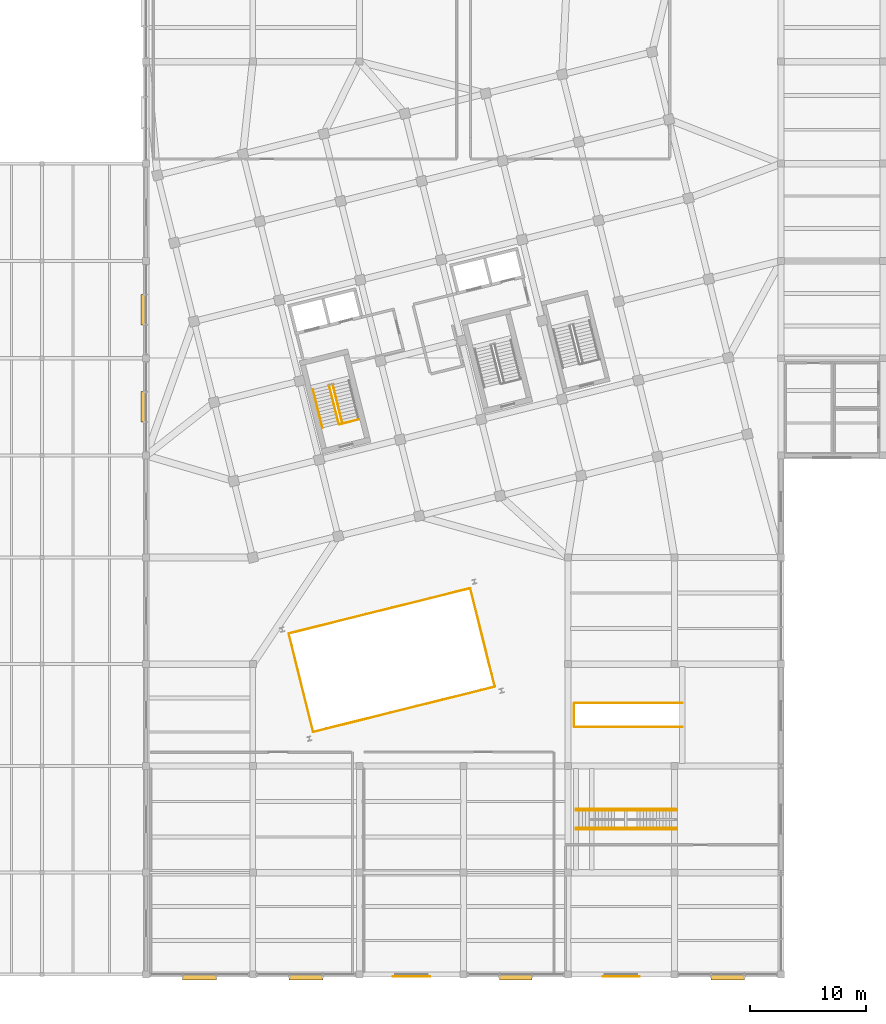
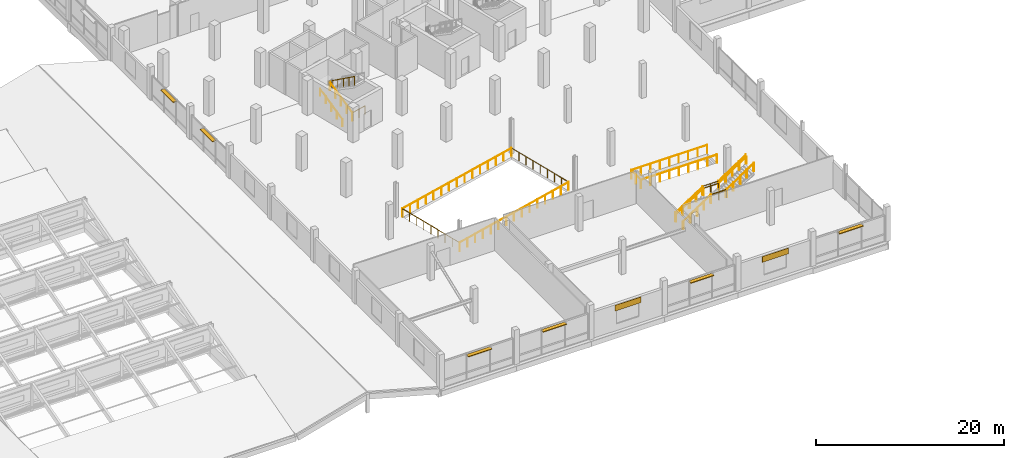
# One storey, part 74 of 77: 23 railings, 6 shading devices, 2 coverings.
"""IFC4 building model written with IfcOpenShell, lengths in metres."""

from ifc_helpers import new_model, si_unit, direction, frame, origin, origin_2d, place, context, subcontext, project, spatial, rectangle, circle, extrude, material, layer, layer_set, type_object, element, save


model = new_model("IFC4")

# Units and contexts
model_context = context("Model", 3, precision=1e-05, world=origin(), true_north=direction((0.0, 1.0)))
body_context = subcontext(model_context, "Body", "Model", "MODEL_VIEW")
ifc_project = project(units=[si_unit("LENGTHUNIT", "METRE"), si_unit("AREAUNIT", "SQUARE_METRE"), si_unit("VOLUMEUNIT", "CUBIC_METRE"), si_unit("PLANEANGLEUNIT", "RADIAN"), si_unit("MASSUNIT", "GRAM", prefix="KILO")], contexts=[model_context])

# Site, building, storey
site_placement = place(None, origin())
site = spatial("IfcSite", under=ifc_project, at=site_placement, CompositionType="ELEMENT")
building_placement = place(site_placement, origin())
building = spatial("IfcBuilding", under=site, at=building_placement, Name="Meriwether Solvik Hall", CompositionType="ELEMENT")
storey_placement = place(building_placement, frame((0.0, 0.0, 9.89990234375)))
storey = spatial("IfcBuildingStorey", under=building, at=storey_placement, Name="L02", CompositionType="ELEMENT", Elevation=9.89990234375)

# Coverings
ifc_material_1 = material(Name="Glazed Extruded Terracotta Ceramic", Category="masonry")
ifc_layer_1 = layer(ifc_material_1, 0.044921875)
ifc_layer_set_1 = layer_set([ifc_layer_1], Name="Glazed Extruded Terracotta Ceramic")
covering_type = type_object("IfcCoveringType", Name="COV-CLAD-TERRA", PredefinedType="CLADDING", material=ifc_layer_set_1)
for number, where, z_axis, x_axis, name in (
    (1, (82.300048828125, 5.012451171875, 2.59521484375), (0.0, 0.0, 1.0), (-1.0, 0.0, 0.0), "L02 Facade Cladding XA_9_2"),
    (2, (100.39990234375, 5.012451171875, 2.59521484375), (0.0, 0.0, 1.0), (-1.0, 0.0, 0.0), "L02 Facade Cladding XA_11_4"),
):
    element("IfcCovering", number, at=place(storey_placement, frame(where, z_axis=z_axis, x_axis=x_axis)), inside=storey, type_object=covering_type, Name=name, PredefinedType="CLADDING", context=body_context, shape_type="SweptSolid", body=[
        extrude(rectangle(XDim=3.199951171875, YDim=0.044921875, at=origin_2d()), origin(), (0.0, 0.0, 1.0), 0.75),
    ])

# Railings
ifc_material_2 = material(Name="Steel A36 Galvanised", Category="steel")
ifc_layer_2 = layer(ifc_material_2, 0.054931640625)
ifc_layer_set_2 = layer_set([ifc_layer_2], Name="Steel A36 Galvanised")
railing_type_1 = type_object("IfcRailingType", Name="RAIL-STR-GUARD", PredefinedType="GUARDRAIL", material=ifc_layer_set_2)
railing_1_placement = place(storey_placement, frame((76.092041015625, 52.69384765625, 0.0)))
element("IfcRailing", 3, at=railing_1_placement, inside=storey, type_object=railing_type_1, Name="Stair ST-01 Well Guardrail (L02)", PredefinedType="GUARDRAIL", context=body_context, shape_type="SweptSolid", body=[
    extrude(circle(Radius=0.02392578125, at=origin_2d()), frame((0.0, 0.0, 1.09619140625), z_axis=(0.970298223594, 0.241911879182, 0.0), x_axis=(-0.241911879182, 0.970298223594, 0.0)), (0.0, 0.0, 1.0), 1.75),
    extrude(circle(Radius=0.02099609375, at=origin_2d()), origin(), (0.0, 0.0, 1.0), 1.072021484375),
    extrude(circle(Radius=0.02099609375, at=origin_2d()), frame((0.84912109375, 0.211669921875, 0.0)), (0.0, 0.0, 1.0), 1.072021484375),
    extrude(circle(Radius=0.02099609375, at=origin_2d()), frame((1.697998046875, 0.42333984375, 0.0)), (0.0, 0.0, 1.0), 1.072021484375),
])
railing_2_placement = place(storey_placement, frame((76.019287109375, 52.737548828125, 0.0)))
element("IfcRailing", 4, at=railing_2_placement, inside=storey, type_object=railing_type_1, Name="Stair ST-01 Flight 1 Inner Guardrail (L02)", PredefinedType="GUARDRAIL", context=body_context, shape_type="SweptSolid", body=[
    extrude(circle(Radius=0.02392578125, at=origin_2d()), frame((0.0, 0.0, 1.09619140625), z_axis=(-0.202112380038, 0.810596479635, 0.549621627157), x_axis=(-0.970293484379, -0.241930887181, 0.0)), (0.0, 0.0, 1.0), 4.09375),
    extrude(circle(Radius=0.02099609375, at=origin_2d()), origin(), (0.0, 0.0, 1.0), 1.072021484375),
    extrude(circle(Radius=0.02099609375, at=origin_2d()), frame((-0.206787109375, 0.82958984375, 0.5625)), (0.0, 0.0, 1.0), 1.072021484375),
    extrude(circle(Radius=0.02099609375, at=origin_2d()), frame((-0.41357421875, 1.6591796875, 1.125)), (0.0, 0.0, 1.0), 1.072021484375),
    extrude(circle(Radius=0.02099609375, at=origin_2d()), frame((-0.62060546875, 2.48876953125, 1.6875)), (0.0, 0.0, 1.0), 1.072021484375),
    extrude(circle(Radius=0.02099609375, at=origin_2d()), frame((-0.827392578125, 3.318359375, 2.25)), (0.0, 0.0, 1.0), 1.072021484375),
])
railing_3_placement = place(storey_placement, frame((75.502197265625, 56.13330078125, 2.25)))
element("IfcRailing", 5, at=railing_3_placement, inside=storey, type_object=railing_type_1, Name="Stair ST-01 Flight 2 Inner Guardrail (L02)", PredefinedType="GUARDRAIL", context=body_context, shape_type="SweptSolid", body=[
    extrude(circle(Radius=0.02392578125, at=origin_2d()), frame((0.0, 0.0, 1.09619140625), z_axis=(0.202112380038, -0.810596479635, 0.549621627157), x_axis=(0.970293484379, 0.241930887181, 0.0)), (0.0, 0.0, 1.0), 4.09375),
    extrude(circle(Radius=0.02099609375, at=origin_2d()), origin(), (0.0, 0.0, 1.0), 1.072021484375),
    extrude(circle(Radius=0.02099609375, at=origin_2d()), frame((0.206787109375, -0.82958984375, 0.5625)), (0.0, 0.0, 1.0), 1.072021484375),
    extrude(circle(Radius=0.02099609375, at=origin_2d()), frame((0.41357421875, -1.6591796875, 1.125)), (0.0, 0.0, 1.0), 1.072021484375),
    extrude(circle(Radius=0.02099609375, at=origin_2d()), frame((0.62060546875, -2.48876953125, 1.6875)), (0.0, 0.0, 1.0), 1.072021484375),
    extrude(circle(Radius=0.02099609375, at=origin_2d()), frame((0.827392578125, -3.318359375, 2.25)), (0.0, 0.0, 1.0), 1.072021484375),
])
railing_4_placement = place(storey_placement, frame((105.679931640625, 26.56005859375, 0.0)))
element("IfcRailing", 6, at=railing_4_placement, inside=storey, type_object=railing_type_1, Name="Stair ST-AT2 Arrival Well Guardrail (L02) 1", PredefinedType="GUARDRAIL", context=body_context, shape_type="SweptSolid", body=[
    extrude(circle(Radius=0.02392578125, at=origin_2d()), frame((0.0, 0.0, 1.09619140625), z_axis=(-1.0, 0.0, 0.0), x_axis=(0.0, -1.0, 0.0)), (0.0, 0.0, 1.0), 9.307861328125),
    extrude(circle(Radius=0.02099609375, at=origin_2d()), origin(), (0.0, 0.0, 1.0), 1.072021484375),
    extrude(circle(Radius=0.02099609375, at=origin_2d()), frame((-1.16357421875, 0.0, 0.0)), (0.0, 0.0, 1.0), 1.072021484375),
    extrude(circle(Radius=0.02099609375, at=origin_2d()), frame((-2.326904296875, 0.0, 0.0)), (0.0, 0.0, 1.0), 1.072021484375),
    extrude(circle(Radius=0.02099609375, at=origin_2d()), frame((-3.490478515625, 0.0, 0.0)), (0.0, 0.0, 1.0), 1.072021484375),
    extrude(circle(Radius=0.02099609375, at=origin_2d()), frame((-4.65380859375, 0.0, 0.0)), (0.0, 0.0, 1.0), 1.072021484375),
    extrude(circle(Radius=0.02099609375, at=origin_2d()), frame((-5.8173828125, 0.0, 0.0)), (0.0, 0.0, 1.0), 1.072021484375),
    extrude(circle(Radius=0.02099609375, at=origin_2d()), frame((-6.98095703125, 0.0, 0.0)), (0.0, 0.0, 1.0), 1.072021484375),
    extrude(circle(Radius=0.02099609375, at=origin_2d()), frame((-8.144287109375, 0.0, 0.0)), (0.0, 0.0, 1.0), 1.072021484375),
    extrude(circle(Radius=0.02099609375, at=origin_2d()), frame((-9.307861328125, 0.0, 0.0)), (0.0, 0.0, 1.0), 1.072021484375),
])
railing_5_placement = place(storey_placement, frame((96.340087890625, 26.592041015625, 0.0)))
element("IfcRailing", 7, at=railing_5_placement, inside=storey, type_object=railing_type_1, Name="Stair ST-AT2 Arrival Well Guardrail (L02) 2", PredefinedType="GUARDRAIL", context=body_context, shape_type="SweptSolid", body=[
    extrude(circle(Radius=0.02392578125, at=origin_2d()), frame((0.0, 0.0, 1.09619140625), z_axis=(0.0, 1.0, 0.0), x_axis=(-1.0, 0.0, 0.0)), (0.0, 0.0, 1.0), 2.015869140625),
    extrude(circle(Radius=0.02099609375, at=origin_2d()), origin(), (0.0, 0.0, 1.0), 1.072021484375),
    extrude(circle(Radius=0.02099609375, at=origin_2d()), frame((0.0, 1.0078125, 0.0)), (0.0, 0.0, 1.0), 1.072021484375),
    extrude(circle(Radius=0.02099609375, at=origin_2d()), frame((0.0, 2.015869140625, 0.0)), (0.0, 0.0, 1.0), 1.072021484375),
])
railing_6_placement = place(storey_placement, frame((96.3720703125, 28.639892578125, 0.0)))
element("IfcRailing", 8, at=railing_6_placement, inside=storey, type_object=railing_type_1, Name="Stair ST-AT2 Arrival Well Guardrail (L02) 3", PredefinedType="GUARDRAIL", context=body_context, shape_type="SweptSolid", body=[
    extrude(circle(Radius=0.02392578125, at=origin_2d()), frame((0.0, 0.0, 1.09619140625), z_axis=(1.0, 0.0, 0.0), x_axis=(0.0, 1.0, 0.0)), (0.0, 0.0, 1.0), 9.307861328125),
    extrude(circle(Radius=0.02099609375, at=origin_2d()), origin(), (0.0, 0.0, 1.0), 1.072021484375),
    extrude(circle(Radius=0.02099609375, at=origin_2d()), frame((1.16357421875, 0.0, 0.0)), (0.0, 0.0, 1.0), 1.072021484375),
    extrude(circle(Radius=0.02099609375, at=origin_2d()), frame((2.326904296875, 0.0, 0.0)), (0.0, 0.0, 1.0), 1.072021484375),
    extrude(circle(Radius=0.02099609375, at=origin_2d()), frame((3.490478515625, 0.0, 0.0)), (0.0, 0.0, 1.0), 1.072021484375),
    extrude(circle(Radius=0.02099609375, at=origin_2d()), frame((4.65380859375, 0.0, 0.0)), (0.0, 0.0, 1.0), 1.072021484375),
    extrude(circle(Radius=0.02099609375, at=origin_2d()), frame((5.8173828125, 0.0, 0.0)), (0.0, 0.0, 1.0), 1.072021484375),
    extrude(circle(Radius=0.02099609375, at=origin_2d()), frame((6.98095703125, 0.0, 0.0)), (0.0, 0.0, 1.0), 1.072021484375),
    extrude(circle(Radius=0.02099609375, at=origin_2d()), frame((8.144287109375, 0.0, 0.0)), (0.0, 0.0, 1.0), 1.072021484375),
    extrude(circle(Radius=0.02099609375, at=origin_2d()), frame((9.307861328125, 0.0, 0.0)), (0.0, 0.0, 1.0), 1.072021484375),
])
railing_7_placement = place(storey_placement, frame((96.5, 17.72998046875, 0.0)))
element("IfcRailing", 9, at=railing_7_placement, inside=storey, type_object=railing_type_1, Name="Stair ST-AT3 Guardrail L 1", PredefinedType="GUARDRAIL", context=body_context, shape_type="SweptSolid", body=[
    extrude(circle(Radius=0.02392578125, at=origin_2d()), frame((0.0, 0.0, 1.09619140625), z_axis=(0.830876226879, 0.0, 0.55645727204), x_axis=(0.0, 1.0, 0.0)), (0.0, 0.0, 1.0), 4.00537109375),
    extrude(circle(Radius=0.02099609375, at=origin_2d()), origin(), (0.0, 0.0, 1.0), 1.072021484375),
    extrude(circle(Radius=0.02099609375, at=origin_2d()), frame((0.83203125, 0.0, 0.55712890625)), (0.0, 0.0, 1.0), 1.072021484375),
    extrude(circle(Radius=0.02099609375, at=origin_2d()), frame((1.6640625, 0.0, 1.1142578125)), (0.0, 0.0, 1.0), 1.072021484375),
    extrude(circle(Radius=0.02099609375, at=origin_2d()), frame((2.495849609375, 0.0, 1.671630859375)), (0.0, 0.0, 1.0), 1.072021484375),
    extrude(circle(Radius=0.02099609375, at=origin_2d()), frame((3.327880859375, 0.0, 2.228759765625)), (0.0, 0.0, 1.0), 1.072021484375),
])
railing_8_placement = place(storey_placement, frame((99.89208984375, 17.72998046875, 2.25)))
element("IfcRailing", 10, at=railing_8_placement, inside=storey, type_object=railing_type_1, Name="Stair ST-AT3 Guardrail L 2", PredefinedType="GUARDRAIL", context=body_context, shape_type="SweptSolid", body=[
    extrude(circle(Radius=0.02392578125, at=origin_2d()), frame((0.0, 0.0, 1.09619140625), z_axis=(1.0, 0.0, 0.0), x_axis=(0.0, 1.0, 0.0)), (0.0, 0.0, 1.0), 1.8359375),
    extrude(circle(Radius=0.02099609375, at=origin_2d()), origin(), (0.0, 0.0, 1.0), 1.072021484375),
    extrude(circle(Radius=0.02099609375, at=origin_2d()), frame((0.91796875, 0.0, 0.0)), (0.0, 0.0, 1.0), 1.072021484375),
    extrude(circle(Radius=0.02099609375, at=origin_2d()), frame((1.8359375, 0.0, 0.0)), (0.0, 0.0, 1.0), 1.072021484375),
])
railing_9_placement = place(storey_placement, frame((101.7919921875, 17.72998046875, 2.271484375)))
element("IfcRailing", 11, at=railing_9_placement, inside=storey, type_object=railing_type_1, Name="Stair ST-AT3 Guardrail L 3", PredefinedType="GUARDRAIL", context=body_context, shape_type="SweptSolid", body=[
    extrude(circle(Radius=0.02392578125, at=origin_2d()), frame((0.0, 0.0, 1.09619140625), z_axis=(0.830923279804, 0.0, 0.556387008367), x_axis=(0.0, 1.0, 0.0)), (0.0, 0.0, 1.0), 4.00537109375),
    extrude(circle(Radius=0.02099609375, at=origin_2d()), origin(), (0.0, 0.0, 1.0), 1.072021484375),
    extrude(circle(Radius=0.02099609375, at=origin_2d()), frame((0.83203125, 0.0, 0.55712890625)), (0.0, 0.0, 1.0), 1.072021484375),
    extrude(circle(Radius=0.02099609375, at=origin_2d()), frame((1.6640625, 0.0, 1.1142578125)), (0.0, 0.0, 1.0), 1.072021484375),
    extrude(circle(Radius=0.02099609375, at=origin_2d()), frame((2.49609375, 0.0, 1.67138671875)), (0.0, 0.0, 1.0), 1.072021484375),
    extrude(circle(Radius=0.02099609375, at=origin_2d()), frame((3.328125, 0.0, 2.228515625)), (0.0, 0.0, 1.0), 1.072021484375),
])
railing_10_placement = place(storey_placement, frame((96.5, 19.469970703125, 0.0)))
element("IfcRailing", 12, at=railing_10_placement, inside=storey, type_object=railing_type_1, Name="Stair ST-AT3 Guardrail R 1", PredefinedType="GUARDRAIL", context=body_context, shape_type="SweptSolid", body=[
    extrude(circle(Radius=0.02392578125, at=origin_2d()), frame((0.0, 0.0, 1.09619140625), z_axis=(0.830876226879, 0.0, 0.55645727204), x_axis=(0.0, 1.0, 0.0)), (0.0, 0.0, 1.0), 4.00537109375),
    extrude(circle(Radius=0.02099609375, at=origin_2d()), origin(), (0.0, 0.0, 1.0), 1.072021484375),
    extrude(circle(Radius=0.02099609375, at=origin_2d()), frame((0.83203125, 0.0, 0.55712890625)), (0.0, 0.0, 1.0), 1.072021484375),
    extrude(circle(Radius=0.02099609375, at=origin_2d()), frame((1.6640625, 0.0, 1.1142578125)), (0.0, 0.0, 1.0), 1.072021484375),
    extrude(circle(Radius=0.02099609375, at=origin_2d()), frame((2.495849609375, 0.0, 1.671630859375)), (0.0, 0.0, 1.0), 1.072021484375),
    extrude(circle(Radius=0.02099609375, at=origin_2d()), frame((3.327880859375, 0.0, 2.228759765625)), (0.0, 0.0, 1.0), 1.072021484375),
])
railing_11_placement = place(storey_placement, frame((99.89208984375, 19.469970703125, 2.25)))
element("IfcRailing", 13, at=railing_11_placement, inside=storey, type_object=railing_type_1, Name="Stair ST-AT3 Guardrail R 2", PredefinedType="GUARDRAIL", context=body_context, shape_type="SweptSolid", body=[
    extrude(circle(Radius=0.02392578125, at=origin_2d()), frame((0.0, 0.0, 1.09619140625), z_axis=(1.0, 0.0, 0.0), x_axis=(0.0, 1.0, 0.0)), (0.0, 0.0, 1.0), 1.8359375),
    extrude(circle(Radius=0.02099609375, at=origin_2d()), origin(), (0.0, 0.0, 1.0), 1.072021484375),
    extrude(circle(Radius=0.02099609375, at=origin_2d()), frame((0.91796875, 0.0, 0.0)), (0.0, 0.0, 1.0), 1.072021484375),
    extrude(circle(Radius=0.02099609375, at=origin_2d()), frame((1.8359375, 0.0, 0.0)), (0.0, 0.0, 1.0), 1.072021484375),
])
railing_12_placement = place(storey_placement, frame((101.7919921875, 19.469970703125, 2.271484375)))
element("IfcRailing", 14, at=railing_12_placement, inside=storey, type_object=railing_type_1, Name="Stair ST-AT3 Guardrail R 3", PredefinedType="GUARDRAIL", context=body_context, shape_type="SweptSolid", body=[
    extrude(circle(Radius=0.02392578125, at=origin_2d()), frame((0.0, 0.0, 1.09619140625), z_axis=(0.830923279804, 0.0, 0.556387008367), x_axis=(0.0, 1.0, 0.0)), (0.0, 0.0, 1.0), 4.00537109375),
    extrude(circle(Radius=0.02099609375, at=origin_2d()), origin(), (0.0, 0.0, 1.0), 1.072021484375),
    extrude(circle(Radius=0.02099609375, at=origin_2d()), frame((0.83203125, 0.0, 0.55712890625)), (0.0, 0.0, 1.0), 1.072021484375),
    extrude(circle(Radius=0.02099609375, at=origin_2d()), frame((1.6640625, 0.0, 1.1142578125)), (0.0, 0.0, 1.0), 1.072021484375),
    extrude(circle(Radius=0.02099609375, at=origin_2d()), frame((2.49609375, 0.0, 1.67138671875)), (0.0, 0.0, 1.0), 1.072021484375),
    extrude(circle(Radius=0.02099609375, at=origin_2d()), frame((3.328125, 0.0, 2.228515625)), (0.0, 0.0, 1.0), 1.072021484375),
])
ifc_material_3 = material(Name="Stainless Steel AISI 316", Category="steel")
ifc_layer_3 = layer(ifc_material_3, 0.044921875)
ifc_layer_set_3 = layer_set([ifc_layer_3], Name="Stainless Steel AISI 316")
railing_type_2 = type_object("IfcRailingType", Name="RAIL-STR-HAND", PredefinedType="HANDRAIL", material=ifc_layer_set_3)
railing_13_placement = place(storey_placement, frame((74.6220703125, 52.38916015625, 0.0)))
element("IfcRailing", 15, at=railing_13_placement, inside=storey, type_object=railing_type_2, Name="Stair ST-01 Lower Handrail (L02)", PredefinedType="HANDRAIL", context=body_context, shape_type="SweptSolid", body=[
    extrude(circle(Radius=0.02392578125, at=origin_2d()), frame((0.0, 0.0, 0.89599609375), z_axis=(-0.202108480303, 0.810577045011, 0.549651722722), x_axis=(-0.970293218539, -0.241931953359, 0.0)), (0.0, 0.0, 1.0), 4.10107421875),
    extrude(circle(Radius=0.02099609375, at=origin_2d()), origin(), (0.0, 0.0, 1.0), 0.871826171875),
    extrude(circle(Radius=0.02099609375, at=origin_2d()), frame((-0.207275390625, 0.8310546875, 0.5634765625)), (0.0, 0.0, 1.0), 0.871826171875),
    extrude(circle(Radius=0.02099609375, at=origin_2d()), frame((-0.41455078125, 1.662109375, 1.126953125)), (0.0, 0.0, 1.0), 0.871826171875),
    extrude(circle(Radius=0.02099609375, at=origin_2d()), frame((-0.62158203125, 2.4931640625, 1.690673828125)), (0.0, 0.0, 1.0), 0.871826171875),
    extrude(circle(Radius=0.02099609375, at=origin_2d()), frame((-0.828857421875, 3.32421875, 2.254150390625)), (0.0, 0.0, 1.0), 0.871826171875),
])
railing_14_placement = place(storey_placement, frame((96.5, 17.85009765625, 0.0)))
element("IfcRailing", 16, at=railing_14_placement, inside=storey, type_object=railing_type_2, Name="Stair ST-AT3 Handrail L 1", PredefinedType="HANDRAIL", context=body_context, shape_type="SweptSolid", body=[
    extrude(circle(Radius=0.02392578125, at=origin_2d()), frame((0.0, 0.0, 0.89599609375), z_axis=(0.830889513654, 0.0, 0.556437432332), x_axis=(0.0, 1.0, 0.0)), (0.0, 0.0, 1.0), 4.051025390625),
    extrude(circle(Radius=0.02099609375, at=origin_2d()), origin(), (0.0, 0.0, 1.0), 0.871826171875),
    extrude(circle(Radius=0.02099609375, at=origin_2d()), frame((0.841552734375, 0.0, 0.5634765625)), (0.0, 0.0, 1.0), 0.871826171875),
    extrude(circle(Radius=0.02099609375, at=origin_2d()), frame((1.68310546875, 0.0, 1.126953125)), (0.0, 0.0, 1.0), 0.871826171875),
    extrude(circle(Radius=0.02099609375, at=origin_2d()), frame((2.5244140625, 0.0, 1.690673828125)), (0.0, 0.0, 1.0), 0.871826171875),
    extrude(circle(Radius=0.02099609375, at=origin_2d()), frame((3.365966796875, 0.0, 2.254150390625)), (0.0, 0.0, 1.0), 0.871826171875),
])
railing_15_placement = place(storey_placement, frame((99.925048828125, 17.85009765625, 2.25)))
element("IfcRailing", 17, at=railing_15_placement, inside=storey, type_object=railing_type_2, Name="Stair ST-AT3 Handrail L 2", PredefinedType="HANDRAIL", context=body_context, shape_type="SweptSolid", body=[
    extrude(circle(Radius=0.02392578125, at=origin_2d()), frame((0.0, 0.0, 0.89599609375), z_axis=(1.0, 0.0, 0.0), x_axis=(0.0, 1.0, 0.0)), (0.0, 0.0, 1.0), 1.77001953125),
    extrude(circle(Radius=0.02099609375, at=origin_2d()), origin(), (0.0, 0.0, 1.0), 0.871826171875),
    extrude(circle(Radius=0.02099609375, at=origin_2d()), frame((0.885009765625, 0.0, 0.0)), (0.0, 0.0, 1.0), 0.871826171875),
    extrude(circle(Radius=0.02099609375, at=origin_2d()), frame((1.77001953125, 0.0, 0.0)), (0.0, 0.0, 1.0), 0.871826171875),
])
for number, where, name in (
    (18, (101.760009765625, 17.85009765625, 2.25), "Stair ST-AT3 Handrail L 3"),
    (19, (96.5, 19.35009765625, 0.0), "Stair ST-AT3 Handrail R 1"),
):
    element("IfcRailing", number, at=place(storey_placement, frame(where)), inside=storey, type_object=railing_type_2, Name=name, PredefinedType="HANDRAIL", context=body_context, shape_type="SweptSolid", body=[
        extrude(circle(Radius=0.02392578125, at=origin_2d()), frame((0.0, 0.0, 0.89599609375), z_axis=(0.830889513654, 0.0, 0.556437432332), x_axis=(0.0, 1.0, 0.0)), (0.0, 0.0, 1.0), 4.051025390625),
        extrude(circle(Radius=0.02099609375, at=origin_2d()), origin(), (0.0, 0.0, 1.0), 0.871826171875),
        extrude(circle(Radius=0.02099609375, at=origin_2d()), frame((0.841552734375, 0.0, 0.5634765625)), (0.0, 0.0, 1.0), 0.871826171875),
        extrude(circle(Radius=0.02099609375, at=origin_2d()), frame((1.68310546875, 0.0, 1.126953125)), (0.0, 0.0, 1.0), 0.871826171875),
        extrude(circle(Radius=0.02099609375, at=origin_2d()), frame((2.5244140625, 0.0, 1.690673828125)), (0.0, 0.0, 1.0), 0.871826171875),
        extrude(circle(Radius=0.02099609375, at=origin_2d()), frame((3.365966796875, 0.0, 2.254150390625)), (0.0, 0.0, 1.0), 0.871826171875),
    ])
railing_16_placement = place(storey_placement, frame((99.925048828125, 19.35009765625, 2.25)))
element("IfcRailing", 20, at=railing_16_placement, inside=storey, type_object=railing_type_2, Name="Stair ST-AT3 Handrail R 2", PredefinedType="HANDRAIL", context=body_context, shape_type="SweptSolid", body=[
    extrude(circle(Radius=0.02392578125, at=origin_2d()), frame((0.0, 0.0, 0.89599609375), z_axis=(1.0, 0.0, 0.0), x_axis=(0.0, 1.0, 0.0)), (0.0, 0.0, 1.0), 1.77001953125),
    extrude(circle(Radius=0.02099609375, at=origin_2d()), origin(), (0.0, 0.0, 1.0), 0.871826171875),
    extrude(circle(Radius=0.02099609375, at=origin_2d()), frame((0.885009765625, 0.0, 0.0)), (0.0, 0.0, 1.0), 0.871826171875),
    extrude(circle(Radius=0.02099609375, at=origin_2d()), frame((1.77001953125, 0.0, 0.0)), (0.0, 0.0, 1.0), 0.871826171875),
])
railing_17_placement = place(storey_placement, frame((101.760009765625, 19.35009765625, 2.25)))
element("IfcRailing", 21, at=railing_17_placement, inside=storey, type_object=railing_type_2, Name="Stair ST-AT3 Handrail R 3", PredefinedType="HANDRAIL", context=body_context, shape_type="SweptSolid", body=[
    extrude(circle(Radius=0.02392578125, at=origin_2d()), frame((0.0, 0.0, 0.89599609375), z_axis=(0.830889513654, 0.0, 0.556437432332), x_axis=(0.0, 1.0, 0.0)), (0.0, 0.0, 1.0), 4.051025390625),
    extrude(circle(Radius=0.02099609375, at=origin_2d()), origin(), (0.0, 0.0, 1.0), 0.871826171875),
    extrude(circle(Radius=0.02099609375, at=origin_2d()), frame((0.841552734375, 0.0, 0.5634765625)), (0.0, 0.0, 1.0), 0.871826171875),
    extrude(circle(Radius=0.02099609375, at=origin_2d()), frame((1.68310546875, 0.0, 1.126953125)), (0.0, 0.0, 1.0), 0.871826171875),
    extrude(circle(Radius=0.02099609375, at=origin_2d()), frame((2.5244140625, 0.0, 1.690673828125)), (0.0, 0.0, 1.0), 0.871826171875),
    extrude(circle(Radius=0.02099609375, at=origin_2d()), frame((3.365966796875, 0.0, 2.254150390625)), (0.0, 0.0, 1.0), 0.871826171875),
])
ifc_material_4 = material(Name="Laminated Tempered Glass and Stainless Steel AISI 316", Category="steel")
ifc_layer_4 = layer(ifc_material_4, 0.06005859375)
ifc_layer_set_4 = layer_set([ifc_layer_4], Name="Laminated Tempered Glass and Stainless Steel AISI 316")
railing_type_3 = type_object("IfcRailingType", Name="RAIL-TERR-1120", PredefinedType="GUARDRAIL", material=ifc_layer_set_4)
railing_18_placement = place(storey_placement, frame((73.8505859375, 26.14306640625, 0.0)))
element("IfcRailing", 22, at=railing_18_placement, inside=storey, type_object=railing_type_3, Name="L02 Civic Atrium Cleft Guardrail 1", PredefinedType="GUARDRAIL", context=body_context, shape_type="SweptSolid", body=[
    extrude(circle(Radius=0.02392578125, at=origin_2d()), frame((0.0, 0.0, 1.09619140625), z_axis=(0.970298438081, 0.241911018883, 0.0), x_axis=(-0.241911018883, 0.970298438081, 0.0)), (0.0, 0.0, 1.0), 16.095947265625),
    extrude(circle(Radius=0.02099609375, at=origin_2d()), origin(), (0.0, 0.0, 1.0), 1.072021484375),
    extrude(circle(Radius=0.02099609375, at=origin_2d()), frame((1.115478515625, 0.278076171875, 0.0)), (0.0, 0.0, 1.0), 1.072021484375),
    extrude(circle(Radius=0.02099609375, at=origin_2d()), frame((2.231201171875, 0.55615234375, 0.0)), (0.0, 0.0, 1.0), 1.072021484375),
    extrude(circle(Radius=0.02099609375, at=origin_2d()), frame((3.3466796875, 0.83447265625, 0.0)), (0.0, 0.0, 1.0), 1.072021484375),
    extrude(circle(Radius=0.02099609375, at=origin_2d()), frame((4.462158203125, 1.112548828125, 0.0)), (0.0, 0.0, 1.0), 1.072021484375),
    extrude(circle(Radius=0.02099609375, at=origin_2d()), frame((5.577880859375, 1.390625, 0.0)), (0.0, 0.0, 1.0), 1.072021484375),
    extrude(circle(Radius=0.02099609375, at=origin_2d()), frame((6.693359375, 1.668701171875, 0.0)), (0.0, 0.0, 1.0), 1.072021484375),
    extrude(circle(Radius=0.02099609375, at=origin_2d()), frame((7.80908203125, 1.94677734375, 0.0)), (0.0, 0.0, 1.0), 1.072021484375),
    extrude(circle(Radius=0.02099609375, at=origin_2d()), frame((8.924560546875, 2.22509765625, 0.0)), (0.0, 0.0, 1.0), 1.072021484375),
    extrude(circle(Radius=0.02099609375, at=origin_2d()), frame((10.0400390625, 2.503173828125, 0.0)), (0.0, 0.0, 1.0), 1.072021484375),
    extrude(circle(Radius=0.02099609375, at=origin_2d()), frame((11.15576171875, 2.78125, 0.0)), (0.0, 0.0, 1.0), 1.072021484375),
    extrude(circle(Radius=0.02099609375, at=origin_2d()), frame((12.271240234375, 3.059326171875, 0.0)), (0.0, 0.0, 1.0), 1.072021484375),
    extrude(circle(Radius=0.02099609375, at=origin_2d()), frame((13.38671875, 3.337646484375, 0.0)), (0.0, 0.0, 1.0), 1.072021484375),
    extrude(circle(Radius=0.02099609375, at=origin_2d()), frame((14.50244140625, 3.61572265625, 0.0)), (0.0, 0.0, 1.0), 1.072021484375),
    extrude(circle(Radius=0.02099609375, at=origin_2d()), frame((15.617919921875, 3.893798828125, 0.0)), (0.0, 0.0, 1.0), 1.072021484375),
])
railing_19_placement = place(storey_placement, frame((89.49169921875, 30.07568359375, 0.0)))
element("IfcRailing", 23, at=railing_19_placement, inside=storey, type_object=railing_type_3, Name="L02 Civic Atrium Cleft Guardrail 2", PredefinedType="GUARDRAIL", context=body_context, shape_type="SweptSolid", body=[
    extrude(circle(Radius=0.02392578125, at=origin_2d()), frame((0.0, 0.0, 1.09619140625), z_axis=(-0.241921231997, 0.970295891731, 0.0), x_axis=(-0.970295891731, -0.241921231997, 0.0)), (0.0, 0.0, 1.0), 8.696044921875),
    extrude(circle(Radius=0.02099609375, at=origin_2d()), origin(), (0.0, 0.0, 1.0), 1.072021484375),
    extrude(circle(Radius=0.02099609375, at=origin_2d()), frame((-0.262939453125, 1.0546875, 0.0)), (0.0, 0.0, 1.0), 1.072021484375),
    extrude(circle(Radius=0.02099609375, at=origin_2d()), frame((-0.52587890625, 2.109375, 0.0)), (0.0, 0.0, 1.0), 1.072021484375),
    extrude(circle(Radius=0.02099609375, at=origin_2d()), frame((-0.788818359375, 3.1640625, 0.0)), (0.0, 0.0, 1.0), 1.072021484375),
    extrude(circle(Radius=0.02099609375, at=origin_2d()), frame((-1.0517578125, 4.21875, 0.0)), (0.0, 0.0, 1.0), 1.072021484375),
    extrude(circle(Radius=0.02099609375, at=origin_2d()), frame((-1.31494140625, 5.273681640625, 0.0)), (0.0, 0.0, 1.0), 1.072021484375),
    extrude(circle(Radius=0.02099609375, at=origin_2d()), frame((-1.577880859375, 6.328369140625, 0.0)), (0.0, 0.0, 1.0), 1.072021484375),
    extrude(circle(Radius=0.02099609375, at=origin_2d()), frame((-1.8408203125, 7.383056640625, 0.0)), (0.0, 0.0, 1.0), 1.072021484375),
    extrude(circle(Radius=0.02099609375, at=origin_2d()), frame((-2.103759765625, 8.437744140625, 0.0)), (0.0, 0.0, 1.0), 1.072021484375),
])
railing_20_placement = place(storey_placement, frame((87.34912109375, 38.53662109375, 0.0)))
element("IfcRailing", 24, at=railing_20_placement, inside=storey, type_object=railing_type_3, Name="L02 Civic Atrium Cleft Guardrail 3", PredefinedType="GUARDRAIL", context=body_context, shape_type="SweptSolid", body=[
    extrude(circle(Radius=0.02392578125, at=origin_2d()), frame((0.0, 0.0, 1.09619140625), z_axis=(-0.970297550429, -0.241914579206, 0.0), x_axis=(0.241914579206, -0.970297550429, 0.0)), (0.0, 0.0, 1.0), 16.095703125),
    extrude(circle(Radius=0.02099609375, at=origin_2d()), origin(), (0.0, 0.0, 1.0), 1.072021484375),
    extrude(circle(Radius=0.02099609375, at=origin_2d()), frame((-1.115478515625, -0.278076171875, 0.0)), (0.0, 0.0, 1.0), 1.072021484375),
    extrude(circle(Radius=0.02099609375, at=origin_2d()), frame((-2.231201171875, -0.55615234375, 0.0)), (0.0, 0.0, 1.0), 1.072021484375),
    extrude(circle(Radius=0.02099609375, at=origin_2d()), frame((-3.3466796875, -0.83447265625, 0.0)), (0.0, 0.0, 1.0), 1.072021484375),
    extrude(circle(Radius=0.02099609375, at=origin_2d()), frame((-4.462158203125, -1.112548828125, 0.0)), (0.0, 0.0, 1.0), 1.072021484375),
    extrude(circle(Radius=0.02099609375, at=origin_2d()), frame((-5.57763671875, -1.390625, 0.0)), (0.0, 0.0, 1.0), 1.072021484375),
    extrude(circle(Radius=0.02099609375, at=origin_2d()), frame((-6.693359375, -1.668701171875, 0.0)), (0.0, 0.0, 1.0), 1.072021484375),
    extrude(circle(Radius=0.02099609375, at=origin_2d()), frame((-7.808837890625, -1.94677734375, 0.0)), (0.0, 0.0, 1.0), 1.072021484375),
    extrude(circle(Radius=0.02099609375, at=origin_2d()), frame((-8.92431640625, -2.22509765625, 0.0)), (0.0, 0.0, 1.0), 1.072021484375),
    extrude(circle(Radius=0.02099609375, at=origin_2d()), frame((-10.0400390625, -2.503173828125, 0.0)), (0.0, 0.0, 1.0), 1.072021484375),
    extrude(circle(Radius=0.02099609375, at=origin_2d()), frame((-11.155517578125, -2.78125, 0.0)), (0.0, 0.0, 1.0), 1.072021484375),
    extrude(circle(Radius=0.02099609375, at=origin_2d()), frame((-12.27099609375, -3.059326171875, 0.0)), (0.0, 0.0, 1.0), 1.072021484375),
    extrude(circle(Radius=0.02099609375, at=origin_2d()), frame((-13.386474609375, -3.337646484375, 0.0)), (0.0, 0.0, 1.0), 1.072021484375),
    extrude(circle(Radius=0.02099609375, at=origin_2d()), frame((-14.502197265625, -3.61572265625, 0.0)), (0.0, 0.0, 1.0), 1.072021484375),
    extrude(circle(Radius=0.02099609375, at=origin_2d()), frame((-15.61767578125, -3.893798828125, 0.0)), (0.0, 0.0, 1.0), 1.072021484375),
])
railing_21_placement = place(storey_placement, frame((71.7080078125, 34.60400390625, 0.0)))
element("IfcRailing", 25, at=railing_21_placement, inside=storey, type_object=railing_type_3, Name="L02 Civic Atrium Cleft Guardrail 4", PredefinedType="GUARDRAIL", context=body_context, shape_type="SweptSolid", body=[
    extrude(circle(Radius=0.02392578125, at=origin_2d()), frame((0.0, 0.0, 1.09619140625), z_axis=(0.241921231997, -0.970295891731, 0.0), x_axis=(0.970295891731, 0.241921231997, 0.0)), (0.0, 0.0, 1.0), 8.696044921875),
    extrude(circle(Radius=0.02099609375, at=origin_2d()), origin(), (0.0, 0.0, 1.0), 1.072021484375),
    extrude(circle(Radius=0.02099609375, at=origin_2d()), frame((0.262939453125, -1.0546875, 0.0)), (0.0, 0.0, 1.0), 1.072021484375),
    extrude(circle(Radius=0.02099609375, at=origin_2d()), frame((0.52587890625, -2.109375, 0.0)), (0.0, 0.0, 1.0), 1.072021484375),
    extrude(circle(Radius=0.02099609375, at=origin_2d()), frame((0.788818359375, -3.1640625, 0.0)), (0.0, 0.0, 1.0), 1.072021484375),
    extrude(circle(Radius=0.02099609375, at=origin_2d()), frame((1.0517578125, -4.21875, 0.0)), (0.0, 0.0, 1.0), 1.072021484375),
    extrude(circle(Radius=0.02099609375, at=origin_2d()), frame((1.31494140625, -5.273681640625, 0.0)), (0.0, 0.0, 1.0), 1.072021484375),
    extrude(circle(Radius=0.02099609375, at=origin_2d()), frame((1.577880859375, -6.328369140625, 0.0)), (0.0, 0.0, 1.0), 1.072021484375),
    extrude(circle(Radius=0.02099609375, at=origin_2d()), frame((1.8408203125, -7.383056640625, 0.0)), (0.0, 0.0, 1.0), 1.072021484375),
    extrude(circle(Radius=0.02099609375, at=origin_2d()), frame((2.103759765625, -8.437744140625, 0.0)), (0.0, 0.0, 1.0), 1.072021484375),
])

# Shading devices
ifc_material_5 = material(Name="Anodised Aluminium 6063-T6", Category="aluminium")
shading_device_type_1 = type_object("IfcShadingDeviceType", Name="SHD-LOUVRE-S", PredefinedType="SHUTTER", material=ifc_material_5)
for number, where, z_axis, x_axis, name in (
    (26, (64.0, 4.9599609375, 3.135009765625), (0.0, 0.0, 1.0), (-1.0, 0.0, 0.0), "Solar Shading Louvre wing_XA_7_0"),
    (27, (73.199951171875, 4.9599609375, 3.135009765625), (0.0, 0.0, 1.0), (-1.0, 0.0, 0.0), "Solar Shading Louvre wing_XA_8_1"),
):
    element("IfcShadingDevice", number, at=place(storey_placement, frame(where, z_axis=z_axis, x_axis=x_axis)), inside=storey, type_object=shading_device_type_1, Name=name, PredefinedType="SHUTTER", context=body_context, shape_type="SweptSolid", body=[
        extrude(rectangle(XDim=2.91064453125, YDim=0.4599609375, at=origin_2d()), origin(), (0.0, 0.0, 1.0), 0.080078125),
    ])
shading_device_1_placement = place(storey_placement, frame((91.300048828125, 4.9599609375, 3.135009765625), z_axis=(0.0, 0.0, 1.0), x_axis=(-1.0, 0.0, 0.0)))
element("IfcShadingDevice", 28, at=shading_device_1_placement, inside=storey, type_object=shading_device_type_1, Name="Solar Shading Louvre wing_XA_10_3", PredefinedType="SHUTTER", context=body_context, shape_type="SweptSolid", body=[
    extrude(rectangle(XDim=2.843994140625, YDim=0.4599609375, at=origin_2d()), origin(), (0.0, 0.0, 1.0), 0.080078125),
])
shading_device_2_placement = place(storey_placement, frame((109.60009765625, 4.9599609375, 3.135009765625), z_axis=(0.0, 0.0, 1.0), x_axis=(-1.0, 0.0, 0.0)))
element("IfcShadingDevice", 29, at=shading_device_2_placement, inside=storey, type_object=shading_device_type_1, Name="Solar Shading Louvre wing_XA_12_5", PredefinedType="SHUTTER", context=body_context, shape_type="SweptSolid", body=[
    extrude(rectangle(XDim=2.91064453125, YDim=0.4599609375, at=origin_2d()), origin(), (0.0, 0.0, 1.0), 0.080078125),
])
ifc_material_6 = material(Name="Anodised Aluminium 6063-T6", Category="aluminium")
shading_device_type_2 = type_object("IfcShadingDeviceType", Name="SHD-LOUVRE-W", PredefinedType="USERDEFINED", material=ifc_material_6)
for number, where, z_axis, x_axis, name in (
    (30, (59.159912109375, 54.199951171875, 3.135009765625), (0.0, 0.0, 1.0), (0.0, 1.0, 0.0), "Solar Shading Louvre wing_Y7_6_29"),
    (31, (59.159912109375, 62.60009765625, 3.135009765625), (0.0, 0.0, 1.0), (0.0, 1.0, 0.0), "Solar Shading Louvre wing_Y7_7_30"),
):
    element("IfcShadingDevice", number, at=place(storey_placement, frame(where, z_axis=z_axis, x_axis=x_axis)), inside=storey, type_object=shading_device_type_2, Name=name, ObjectType="LOUVER", PredefinedType="USERDEFINED", context=body_context, shape_type="SweptSolid", body=[
        extrude(rectangle(XDim=2.64404296875, YDim=0.4599609375, at=origin_2d()), origin(), (0.0, 0.0, 1.0), 0.080078125),
    ])

save(model, "model.ifc")
